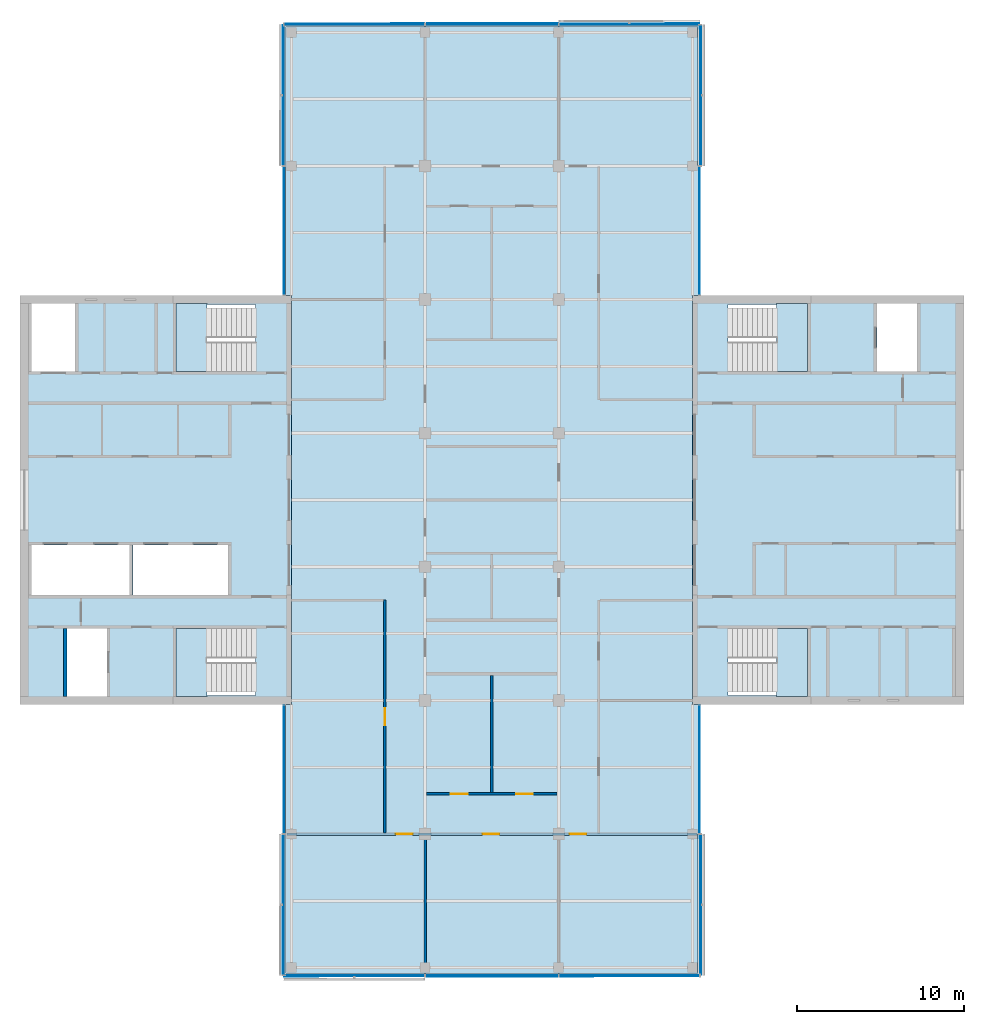
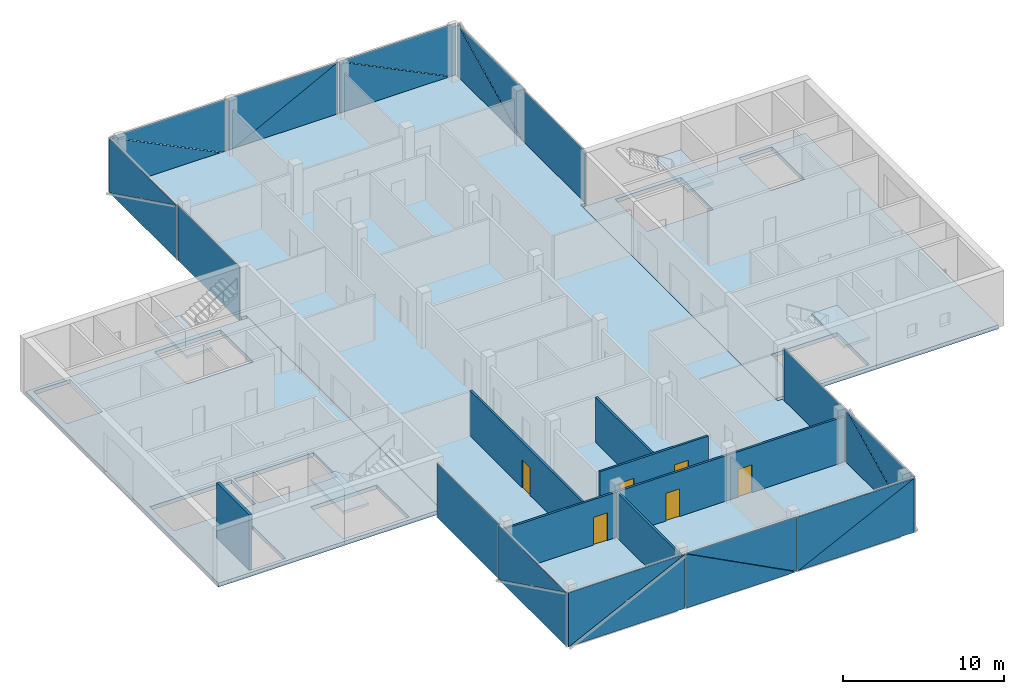
# One storey, part 8 of 16: 24 plates, 7 slabs, 6 doors, 6 walls, 6 openings, 14 elements without a shape of their own.
"""IFC4 building model written with IfcOpenShell, lengths in metres."""

from ifc_helpers import new_model, si_unit, direction, frame, frame_2d, origin, place, context, subcontext, project, spatial, polyline, rectangle, outline, extrude, material, layer, layer_set, type_object, element, fill, aggregate, save


model = new_model("IFC4")

# Units and contexts
model_context = context("Model", 3, precision=1e-05, world=origin(), true_north=direction((0.0, 1.0)))
body_context = subcontext(model_context, "Body", "Model", "MODEL_VIEW")
ifc_project = project(units=[si_unit("LENGTHUNIT", "METRE"), si_unit("AREAUNIT", "SQUARE_METRE"), si_unit("VOLUMEUNIT", "CUBIC_METRE"), si_unit("PLANEANGLEUNIT", "RADIAN"), si_unit("MASSUNIT", "GRAM", prefix="KILO")], contexts=[model_context])

# Site, building, storey
site_placement = place(None, origin())
site = spatial("IfcSite", under=ifc_project, at=site_placement, CompositionType="ELEMENT")
building_placement = place(site_placement, origin())
building = spatial("IfcBuilding", under=site, at=building_placement, Name="Crosswind Convention Tower", CompositionType="ELEMENT")
storey_placement = place(building_placement, frame((0.0, 0.0, 249.300048828125)))
storey = spatial("IfcBuildingStorey", under=building, at=storey_placement, Name="L53", CompositionType="ELEMENT", Elevation=249.300048828125)

# Slabs
ifc_material_1 = material(Name="Concrete C40/50", Category="concrete")
ifc_layer_1 = layer(ifc_material_1, 0.300048828125)
ifc_layer_set_1 = layer_set([ifc_layer_1], Name="Concrete C40/50")
slab_type_1 = type_object("IfcSlabType", Name="Composite floor slab 300", PredefinedType="FLOOR", material=ifc_layer_set_1)
slab_1_placement = place(storey_placement, frame((0.0, 0.0, -0.300048828125)))
element("IfcSlab", 1, at=slab_1_placement, inside=storey, type_object=slab_type_1, Name="Floor slab L53", PredefinedType="FLOOR", context=body_context, shape_type="SweptSolid", body=[
    extrude(outline(polyline([(137.35009765625, 71.64990234375), (137.0, 71.64990234375), (113.0, 71.64990234375), (112.64990234375, 71.64990234375), (112.64990234375, 72.0), (112.64990234375, 87.75), (113.0, 87.75), (113.0, 112.25), (112.64990234375, 112.25), (112.64990234375, 128.0), (112.64990234375, 128.35009765625), (113.0, 128.35009765625), (137.0, 128.35009765625), (137.35009765625, 128.35009765625), (137.35009765625, 128.0), (137.35009765625, 112.25), (137.0, 112.25), (137.0, 87.75), (137.35009765625, 87.75), (137.35009765625, 72.0), (137.35009765625, 71.64990234375)])), origin(), (0.0, 0.0, 1.0), 0.300048828125),
])
ifc_layer_2 = layer(ifc_material_1, 0.300048828125)
ifc_layer_set_2 = layer_set([ifc_layer_2], Name="Concrete C40/50")
slab_type_2 = type_object("IfcSlabType", Name="Concrete core floor slab 300", PredefinedType="FLOOR", material=ifc_layer_set_2)
slab_2_placement = place(storey_placement, frame((0.0, 0.0, -0.300048828125)))
element("IfcSlab", 2, at=slab_2_placement, inside=storey, type_object=slab_type_2, Name="Core floor slab E L53", PredefinedType="FLOOR", context=body_context, shape_type="SweptSolid", body=[
    extrude(outline(polyline([(137.0, 88.0), (153.0, 88.0), (153.0, 112.0), (137.0, 112.0), (137.0, 88.0)]), holes=[polyline([(150.449951171875, 107.699951171875), (150.449951171875, 111.75), (148.050048828125, 111.75), (148.050048828125, 107.699951171875), (150.449951171875, 107.699951171875)]), polyline([(143.89990234375, 107.699951171875), (143.89990234375, 111.699951171875), (139.14990234375, 111.699951171875), (139.14990234375, 107.699951171875), (143.89990234375, 107.699951171875)]), polyline([(143.89990234375, 88.300048828125), (143.89990234375, 92.300048828125), (139.14990234375, 92.300048828125), (139.14990234375, 88.300048828125), (143.89990234375, 88.300048828125)])]), origin(), (0.0, 0.0, 1.0), 0.300048828125),
])
slab_3_placement = place(storey_placement, frame((0.0, 0.0, -0.300048828125)))
element("IfcSlab", 3, at=slab_3_placement, inside=storey, type_object=slab_type_2, Name="Core floor slab W L53", PredefinedType="FLOOR", context=body_context, shape_type="SweptSolid", body=[
    extrude(outline(polyline([(97.0, 88.0), (113.0, 88.0), (113.0, 112.0), (97.0, 112.0), (97.0, 88.0)]), holes=[polyline([(109.199951171875, 94.300048828125), (109.199951171875, 97.300048828125), (103.5, 97.300048828125), (103.5, 94.300048828125), (109.199951171875, 94.300048828125)]), polyline([(103.300048828125, 94.300048828125), (103.300048828125, 97.300048828125), (97.449951171875, 97.300048828125), (97.449951171875, 94.300048828125), (103.300048828125, 94.300048828125)]), polyline([(101.949951171875, 88.25), (101.949951171875, 92.300048828125), (99.550048828125, 92.300048828125), (99.550048828125, 88.25), (101.949951171875, 88.25)]), polyline([(100.050048828125, 107.699951171875), (100.050048828125, 111.75), (97.449951171875, 111.75), (97.449951171875, 107.699951171875), (100.050048828125, 107.699951171875)]), polyline([(110.85009765625, 88.300048828125), (110.85009765625, 92.300048828125), (106.10009765625, 92.300048828125), (106.10009765625, 88.300048828125), (110.85009765625, 88.300048828125)]), polyline([(110.85009765625, 107.699951171875), (110.85009765625, 111.699951171875), (106.10009765625, 111.699951171875), (106.10009765625, 107.699951171875), (110.85009765625, 107.699951171875)])]), origin(), (0.0, 0.0, 1.0), 0.300048828125),
])

# Stair, slab
stair_type = type_object("IfcStairType", Name="Exit stair 1800 wide, 2 flights of 11 risers", PredefinedType="HALF_TURN_STAIR", material=ifc_material_1)
stair_1_placement = place(storey_placement, origin())
stair_1 = element("IfcStair", 4, at=stair_1_placement, inside=storey, type_object=stair_type, Name="Exit stair ST1 L53", ObjectType="ST5", PredefinedType="HALF_TURN_STAIR")
ifc_layer_3 = layer(ifc_material_1, 0.199951171875)
ifc_layer_set_3 = layer_set([ifc_layer_3], Name="Concrete C40/50")
slab_type_3 = type_object("IfcSlabType", Name="Stair landing 200", PredefinedType="LANDING", material=ifc_layer_set_3)
slab_4_placement = place(storey_placement, frame((0.0, 0.0, 1.89990234375)))
slab_4 = element("IfcSlab", 5, at=slab_4_placement, type_object=slab_type_3, Name="ST1 landing 1", PredefinedType="LANDING", context=body_context, shape_type="SweptSolid", body=[
    extrude(outline(polyline([(143.89990234375, 107.699951171875), (143.89990234375, 111.75), (142.050048828125, 111.75), (142.050048828125, 107.699951171875), (143.89990234375, 107.699951171875)])), origin(), (0.0, 0.0, 1.0), 0.199951171875),
])
aggregate(stair_1, [slab_4])

stair_2_placement = place(storey_placement, origin())
stair_2 = element("IfcStair", 6, at=stair_2_placement, inside=storey, type_object=stair_type, Name="Exit stair ST2 L53", ObjectType="ST5", PredefinedType="HALF_TURN_STAIR")
slab_5_placement = place(storey_placement, frame((0.0, 0.0, 1.89990234375)))
slab_5 = element("IfcSlab", 7, at=slab_5_placement, type_object=slab_type_3, Name="ST2 landing 1", PredefinedType="LANDING", context=body_context, shape_type="SweptSolid", body=[
    extrude(outline(polyline([(143.89990234375, 88.25), (143.89990234375, 92.300048828125), (142.050048828125, 92.300048828125), (142.050048828125, 88.25), (143.89990234375, 88.25)])), origin(), (0.0, 0.0, 1.0), 0.199951171875),
])
aggregate(stair_2, [slab_5])

stair_3_placement = place(storey_placement, origin())
stair_3 = element("IfcStair", 8, at=stair_3_placement, inside=storey, type_object=stair_type, Name="Exit stair ST3 L53", ObjectType="ST5", PredefinedType="HALF_TURN_STAIR")
slab_6_placement = place(storey_placement, frame((0.0, 0.0, 1.89990234375)))
slab_6 = element("IfcSlab", 9, at=slab_6_placement, type_object=slab_type_3, Name="ST3 landing 1", PredefinedType="LANDING", context=body_context, shape_type="SweptSolid", body=[
    extrude(outline(polyline([(107.949951171875, 88.25), (107.949951171875, 92.300048828125), (106.10009765625, 92.300048828125), (106.10009765625, 88.25), (107.949951171875, 88.25)])), origin(), (0.0, 0.0, 1.0), 0.199951171875),
])
aggregate(stair_3, [slab_6])

stair_4_placement = place(storey_placement, origin())
stair_4 = element("IfcStair", 10, at=stair_4_placement, inside=storey, type_object=stair_type, Name="Exit stair ST4 L53", ObjectType="ST5", PredefinedType="HALF_TURN_STAIR")
slab_7_placement = place(storey_placement, frame((0.0, 0.0, 1.89990234375)))
slab_7 = element("IfcSlab", 11, at=slab_7_placement, type_object=slab_type_3, Name="ST4 landing 1", PredefinedType="LANDING", context=body_context, shape_type="SweptSolid", body=[
    extrude(outline(polyline([(107.949951171875, 107.699951171875), (107.949951171875, 111.75), (106.10009765625, 111.75), (106.10009765625, 107.699951171875), (107.949951171875, 107.699951171875)])), origin(), (0.0, 0.0, 1.0), 0.199951171875),
])
aggregate(stair_4, [slab_7])

# Curtain wall, plate
ifc_material_2 = material(Name="Aluminium unitised curtain wall", Category="aluminium")
curtain_wall_type_1 = type_object("IfcCurtainWallType", Name="CORE END SLOT WALL 160", PredefinedType="USERDEFINED", material=ifc_material_2)
curtain_wall_1_placement = place(storey_placement, origin())
curtain_wall_1 = element("IfcCurtainWall", 12, at=curtain_wall_1_placement, inside=storey, type_object=curtain_wall_type_1, Name="CW6 L53 N-E.1-1 slot", ObjectType="UNITISED", PredefinedType="USERDEFINED")
ifc_material_3 = material(Name="Laminated insulating glass unit", Category="glass")
ifc_layer_4 = layer(ifc_material_3, 0.02587890625)
ifc_layer_set_4 = layer_set([ifc_layer_4], Name="TRIANGULAR GLASS PANEL 26")
plate_type_1 = type_object("IfcPlateType", Name="TRIANGULAR GLASS PANEL 26", PredefinedType="CURTAIN_PANEL", material=ifc_layer_set_4)
plate_1_placement = place(storey_placement, frame((137.456787109375, 112.300048828125, -0.300048828125), z_axis=(0.999999915205, 0.0, 0.00041181312), x_axis=(0.0, 1.0, 0.0)))
plate_1 = element("IfcPlate", 13, at=plate_1_placement, type_object=plate_type_1, Name="CW6 panel 1.1", PredefinedType="CURTAIN_PANEL", context=body_context, shape_type="SweptSolid", body=[
    extrude(outline(polyline([(0.0, 0.0), (7.64990234375, 0.0), (7.64990234375, 4.149902695641108), (0.0, 4.149902695641108), (0.0, 0.0)])), origin(), (0.0, 0.0, -1.0), 0.02587890625),
])
aggregate(curtain_wall_1, [plate_1])

curtain_wall_2_placement = place(storey_placement, origin())
curtain_wall_2 = element("IfcCurtainWall", 14, at=curtain_wall_2_placement, inside=storey, type_object=curtain_wall_type_1, Name="CW6 L53 N-W.1-2 slot", ObjectType="UNITISED", PredefinedType="USERDEFINED")
plate_2_placement = place(storey_placement, frame((112.543212890625, 119.949951171875, -0.300048828125), z_axis=(-0.999999915205, 0.0, 0.00041181312), x_axis=(0.0, -1.0, 0.0)))
plate_2 = element("IfcPlate", 15, at=plate_2_placement, type_object=plate_type_1, Name="CW6 panel 1.1", PredefinedType="CURTAIN_PANEL", context=body_context, shape_type="SweptSolid", body=[
    extrude(outline(polyline([(0.0, 0.0), (7.64990234375, 0.0), (7.64990234375, 4.149902695641108), (0.0, 4.149902695641108), (0.0, 0.0)])), origin(), (0.0, 0.0, -1.0), 0.02587890625),
])
aggregate(curtain_wall_2, [plate_2])

curtain_wall_3_placement = place(storey_placement, origin())
curtain_wall_3 = element("IfcCurtainWall", 16, at=curtain_wall_3_placement, inside=storey, type_object=curtain_wall_type_1, Name="CW6 L53 S-W.1-1 slot", ObjectType="UNITISED", PredefinedType="USERDEFINED")
plate_3_placement = place(storey_placement, frame((112.543212890625, 87.699951171875, -0.300048828125), z_axis=(-0.999999915205, 0.0, 0.00041181312), x_axis=(0.0, -1.0, 0.0)))
plate_3 = element("IfcPlate", 17, at=plate_3_placement, type_object=plate_type_1, Name="CW6 panel 1.1", PredefinedType="CURTAIN_PANEL", context=body_context, shape_type="SweptSolid", body=[
    extrude(outline(polyline([(0.0, 0.0), (7.64990234375, 0.0), (7.64990234375, 4.149902695641108), (0.0, 4.149902695641108), (0.0, 0.0)])), origin(), (0.0, 0.0, -1.0), 0.02587890625),
])
aggregate(curtain_wall_3, [plate_3])

curtain_wall_4_placement = place(storey_placement, origin())
curtain_wall_4 = element("IfcCurtainWall", 18, at=curtain_wall_4_placement, inside=storey, type_object=curtain_wall_type_1, Name="CW6 L53 S-E.1-2 slot", ObjectType="UNITISED", PredefinedType="USERDEFINED")
plate_4_placement = place(storey_placement, frame((137.456787109375, 80.050048828125, -0.300048828125), z_axis=(0.999999915205, 0.0, 0.00041181312), x_axis=(0.0, 1.0, 0.0)))
plate_4 = element("IfcPlate", 19, at=plate_4_placement, type_object=plate_type_1, Name="CW6 panel 1.1", PredefinedType="CURTAIN_PANEL", context=body_context, shape_type="SweptSolid", body=[
    extrude(outline(polyline([(0.0, 0.0), (7.64990234375, 0.0), (7.64990234375, 4.149902695641108), (0.0, 4.149902695641108), (0.0, 0.0)])), origin(), (0.0, 0.0, -1.0), 0.02587890625),
])
aggregate(curtain_wall_4, [plate_4])

# Curtain wall, plates
curtain_wall_type_2 = type_object("IfcCurtainWallType", Name="OFFICE UNITISED WALL 220", PredefinedType="USERDEFINED", material=ifc_material_2)
curtain_wall_5_placement = place(storey_placement, origin())
curtain_wall_5 = element("IfcCurtainWall", 20, at=curtain_wall_5_placement, inside=storey, type_object=curtain_wall_type_2, Name="CW3 L53 N-E 1", ObjectType="UNITISED", PredefinedType="USERDEFINED")
ifc_layer_5 = layer(ifc_material_3, 0.031982421875)
ifc_layer_set_5 = layer_set([ifc_layer_5], Name="TRIANGULAR GLASS PANEL 32")
plate_type_2 = type_object("IfcPlateType", Name="TRIANGULAR GLASS PANEL 32", PredefinedType="CURTAIN_PANEL", material=ifc_layer_set_5)
plate_5_placement = place(storey_placement, frame((137.492919921875, 128.425048828125, -0.300048828125), z_axis=(0.999999913924, 0.0, 0.000414913129), x_axis=(-0.000414913129, 0.0, 0.999999913924)))
plate_5 = element("IfcPlate", 21, at=plate_5_placement, type_object=plate_type_2, Name="CW3 panel 1.1", PredefinedType="CURTAIN_PANEL", context=body_context, shape_type="SweptSolid", body=[
    extrude(outline(polyline([(0.0, 0.0), (4.118896838915043, 0.0), (0.0, 8.367431640625), (0.0, 0.0)])), origin(), (0.0, 0.0, -1.0), 0.031982421875),
])
plate_6_placement = place(storey_placement, frame((137.525146484375, 120.034912109375, 3.829833984375), z_axis=(0.999999913913, 0.0, 0.000414937724), x_axis=(0.000414937724, 0.0, -0.999999913913)))
plate_6 = element("IfcPlate", 22, at=plate_6_placement, type_object=plate_type_2, Name="CW3 panel 1.2", PredefinedType="CURTAIN_PANEL", context=body_context, shape_type="SweptSolid", body=[
    extrude(outline(polyline([(0.0, 0.0), (4.118652698311059, 0.0), (0.0, 8.367431640625), (0.0, 0.0)])), origin(), (0.0, 0.0, -1.0), 0.031982421875),
])
aggregate(curtain_wall_5, [plate_5, plate_6])

curtain_wall_6_placement = place(storey_placement, origin())
curtain_wall_6 = element("IfcCurtainWall", 23, at=curtain_wall_6_placement, inside=storey, type_object=curtain_wall_type_2, Name="CW3 L53 N-TIP 1", ObjectType="UNITISED", PredefinedType="USERDEFINED")
plate_7_placement = place(storey_placement, frame((129.034912109375, 128.492919921875, -0.300048828125), z_axis=(0.0, 0.999999913924, 0.000414913129), x_axis=(0.0, -0.000414913129, 0.999999913924)))
plate_7 = element("IfcPlate", 24, at=plate_7_placement, type_object=plate_type_2, Name="CW3 panel 1.1", PredefinedType="CURTAIN_PANEL", context=body_context, shape_type="SweptSolid", body=[
    extrude(outline(polyline([(0.0, 0.0), (4.118896838915043, 0.0), (0.0, 8.367431640625), (0.0, 0.0)])), origin(), (0.0, 0.0, -1.0), 0.031982421875),
])
plate_8_placement = place(storey_placement, frame((137.425048828125, 128.525146484375, 3.829833984375), z_axis=(0.0, 0.999999913913, 0.000414937724), x_axis=(0.0, 0.000414937724, -0.999999913913)))
plate_8 = element("IfcPlate", 25, at=plate_8_placement, type_object=plate_type_2, Name="CW3 panel 1.2", PredefinedType="CURTAIN_PANEL", context=body_context, shape_type="SweptSolid", body=[
    extrude(outline(polyline([(0.0, 0.0), (4.118652698311059, 0.0), (0.0, 8.367431640625), (0.0, 0.0)])), origin(), (0.0, 0.0, -1.0), 0.031982421875),
])
plate_9_placement = place(storey_placement, frame((121.034912109375, 128.4912109375, 3.829833984375), z_axis=(0.0, 0.999999913913, 0.000414937724), x_axis=(1.0, 0.0, 0.0)))
plate_9 = element("IfcPlate", 26, at=plate_9_placement, type_object=plate_type_2, Name="CW3 panel 2.1", PredefinedType="CURTAIN_PANEL", context=body_context, shape_type="SweptSolid", body=[
    extrude(outline(polyline([(0.0, 0.0), (7.908447265625, 0.0), (0.0, 4.118652698311059), (0.0, 0.0)])), origin(), (0.0, 0.0, -1.0), 0.031982421875),
])
plate_10_placement = place(storey_placement, frame((128.965087890625, 128.52685546875, -0.300048828125), z_axis=(0.0, 0.999999913913, 0.000414937724), x_axis=(-1.0, 0.0, 0.0)))
plate_10 = element("IfcPlate", 27, at=plate_10_placement, type_object=plate_type_2, Name="CW3 panel 2.2", PredefinedType="CURTAIN_PANEL", context=body_context, shape_type="SweptSolid", body=[
    extrude(outline(polyline([(0.0, 0.0), (7.908447265625, 0.0), (0.0, 4.118652698311059), (0.0, 0.0)])), origin(), (0.0, 0.0, -1.0), 0.031982421875),
])
plate_11_placement = place(storey_placement, frame((112.574951171875, 128.492919921875, -0.300048828125), z_axis=(0.0, 0.999999913924, 0.000414913129), x_axis=(0.0, -0.000414913129, 0.999999913924)))
plate_11 = element("IfcPlate", 28, at=plate_11_placement, type_object=plate_type_2, Name="CW3 panel 3.1", PredefinedType="CURTAIN_PANEL", context=body_context, shape_type="SweptSolid", body=[
    extrude(outline(polyline([(0.0, 0.0), (4.118896838915043, 0.0), (0.0, 8.367431640625), (0.0, 0.0)])), origin(), (0.0, 0.0, -1.0), 0.031982421875),
])
plate_12_placement = place(storey_placement, frame((120.965087890625, 128.525146484375, 3.829833984375), z_axis=(0.0, 0.999999913913, 0.000414937724), x_axis=(0.0, 0.000414937724, -0.999999913913)))
plate_12 = element("IfcPlate", 29, at=plate_12_placement, type_object=plate_type_2, Name="CW3 panel 3.2", PredefinedType="CURTAIN_PANEL", context=body_context, shape_type="SweptSolid", body=[
    extrude(outline(polyline([(0.0, 0.0), (4.118652698311059, 0.0), (0.0, 8.367431640625), (0.0, 0.0)])), origin(), (0.0, 0.0, -1.0), 0.031982421875),
])
aggregate(curtain_wall_6, [plate_7, plate_8, plate_9, plate_10, plate_11, plate_12])

curtain_wall_7_placement = place(storey_placement, origin())
curtain_wall_7 = element("IfcCurtainWall", 30, at=curtain_wall_7_placement, inside=storey, type_object=curtain_wall_type_2, Name="CW3 L53 N-W 1", ObjectType="UNITISED", PredefinedType="USERDEFINED")
plate_13_placement = place(storey_placement, frame((112.507080078125, 120.034912109375, -0.300048828125), z_axis=(-0.999999913924, 0.0, 0.000414913129), x_axis=(0.000414913129, 0.0, 0.999999913924)))
plate_13 = element("IfcPlate", 31, at=plate_13_placement, type_object=plate_type_2, Name="CW3 panel 1.1", PredefinedType="CURTAIN_PANEL", context=body_context, shape_type="SweptSolid", body=[
    extrude(outline(polyline([(0.0, 0.0), (4.118896838915043, 0.0), (0.0, 8.367431640625), (0.0, 0.0)])), origin(), (0.0, 0.0, -1.0), 0.031982421875),
])
plate_14_placement = place(storey_placement, frame((112.474853515625, 128.425048828125, 3.829833984375), z_axis=(-0.999999913913, 0.0, 0.000414937724), x_axis=(-0.000414937724, 0.0, -0.999999913913)))
plate_14 = element("IfcPlate", 32, at=plate_14_placement, type_object=plate_type_2, Name="CW3 panel 1.2", PredefinedType="CURTAIN_PANEL", context=body_context, shape_type="SweptSolid", body=[
    extrude(outline(polyline([(0.0, 0.0), (4.118652698311059, 0.0), (0.0, 8.367431640625), (0.0, 0.0)])), origin(), (0.0, 0.0, -1.0), 0.031982421875),
])
aggregate(curtain_wall_7, [plate_13, plate_14])

curtain_wall_8_placement = place(storey_placement, origin())
curtain_wall_8 = element("IfcCurtainWall", 33, at=curtain_wall_8_placement, inside=storey, type_object=curtain_wall_type_2, Name="CW3 L53 S-W 1", ObjectType="UNITISED", PredefinedType="USERDEFINED")
plate_15_placement = place(storey_placement, frame((112.507080078125, 71.574951171875, -0.300048828125), z_axis=(-0.999999913924, 0.0, 0.000414913129), x_axis=(0.000414913129, 0.0, 0.999999913924)))
plate_15 = element("IfcPlate", 34, at=plate_15_placement, type_object=plate_type_2, Name="CW3 panel 1.1", PredefinedType="CURTAIN_PANEL", context=body_context, shape_type="SweptSolid", body=[
    extrude(outline(polyline([(0.0, 0.0), (4.118896838915043, 0.0), (0.0, 8.367431640625), (0.0, 0.0)])), origin(), (0.0, 0.0, -1.0), 0.031982421875),
])
plate_16_placement = place(storey_placement, frame((112.474853515625, 79.965087890625, 3.829833984375), z_axis=(-0.999999913913, 0.0, 0.000414937724), x_axis=(-0.000414937724, 0.0, -0.999999913913)))
plate_16 = element("IfcPlate", 35, at=plate_16_placement, type_object=plate_type_2, Name="CW3 panel 1.2", PredefinedType="CURTAIN_PANEL", context=body_context, shape_type="SweptSolid", body=[
    extrude(outline(polyline([(0.0, 0.0), (4.118652698311059, 0.0), (0.0, 8.367431640625), (0.0, 0.0)])), origin(), (0.0, 0.0, -1.0), 0.031982421875),
])
aggregate(curtain_wall_8, [plate_15, plate_16])

curtain_wall_9_placement = place(storey_placement, origin())
curtain_wall_9 = element("IfcCurtainWall", 36, at=curtain_wall_9_placement, inside=storey, type_object=curtain_wall_type_2, Name="CW3 L53 S-TIP 1", ObjectType="UNITISED", PredefinedType="USERDEFINED")
plate_17_placement = place(storey_placement, frame((120.965087890625, 71.507080078125, -0.300048828125), z_axis=(0.0, -0.999999913924, 0.000414913129), x_axis=(0.0, 0.000414913129, 0.999999913924)))
plate_17 = element("IfcPlate", 37, at=plate_17_placement, type_object=plate_type_2, Name="CW3 panel 1.1", PredefinedType="CURTAIN_PANEL", context=body_context, shape_type="SweptSolid", body=[
    extrude(outline(polyline([(0.0, 0.0), (4.118896838915043, 0.0), (0.0, 8.367431640625), (0.0, 0.0)])), origin(), (0.0, 0.0, -1.0), 0.031982421875),
])
plate_18_placement = place(storey_placement, frame((112.574951171875, 71.474853515625, 3.829833984375), z_axis=(0.0, -0.999999913913, 0.000414937724), x_axis=(0.0, -0.000414937724, -0.999999913913)))
plate_18 = element("IfcPlate", 38, at=plate_18_placement, type_object=plate_type_2, Name="CW3 panel 1.2", PredefinedType="CURTAIN_PANEL", context=body_context, shape_type="SweptSolid", body=[
    extrude(outline(polyline([(0.0, 0.0), (4.118652698311059, 0.0), (0.0, 8.367431640625), (0.0, 0.0)])), origin(), (0.0, 0.0, -1.0), 0.031982421875),
])
plate_19_placement = place(storey_placement, frame((128.965087890625, 71.5087890625, 3.829833984375), z_axis=(0.0, -0.999999913913, 0.000414937724), x_axis=(-1.0, 0.0, 0.0)))
plate_19 = element("IfcPlate", 39, at=plate_19_placement, type_object=plate_type_2, Name="CW3 panel 2.1", PredefinedType="CURTAIN_PANEL", context=body_context, shape_type="SweptSolid", body=[
    extrude(outline(polyline([(0.0, 0.0), (7.908447265625, 0.0), (0.0, 4.118652698311059), (0.0, 0.0)])), origin(), (0.0, 0.0, -1.0), 0.031982421875),
])
plate_20_placement = place(storey_placement, frame((121.034912109375, 71.47314453125, -0.300048828125), z_axis=(0.0, -0.999999913913, 0.000414937724), x_axis=(1.0, 0.0, 0.0)))
plate_20 = element("IfcPlate", 40, at=plate_20_placement, type_object=plate_type_2, Name="CW3 panel 2.2", PredefinedType="CURTAIN_PANEL", context=body_context, shape_type="SweptSolid", body=[
    extrude(outline(polyline([(0.0, 0.0), (7.908447265625, 0.0), (0.0, 4.118652698311059), (0.0, 0.0)])), origin(), (0.0, 0.0, -1.0), 0.031982421875),
])
plate_21_placement = place(storey_placement, frame((137.425048828125, 71.507080078125, -0.300048828125), z_axis=(0.0, -0.999999913924, 0.000414913129), x_axis=(0.0, 0.000414913129, 0.999999913924)))
plate_21 = element("IfcPlate", 41, at=plate_21_placement, type_object=plate_type_2, Name="CW3 panel 3.1", PredefinedType="CURTAIN_PANEL", context=body_context, shape_type="SweptSolid", body=[
    extrude(outline(polyline([(0.0, 0.0), (4.118896838915043, 0.0), (0.0, 8.367431640625), (0.0, 0.0)])), origin(), (0.0, 0.0, -1.0), 0.031982421875),
])
plate_22_placement = place(storey_placement, frame((129.034912109375, 71.474853515625, 3.829833984375), z_axis=(0.0, -0.999999913913, 0.000414937724), x_axis=(0.0, -0.000414937724, -0.999999913913)))
plate_22 = element("IfcPlate", 42, at=plate_22_placement, type_object=plate_type_2, Name="CW3 panel 3.2", PredefinedType="CURTAIN_PANEL", context=body_context, shape_type="SweptSolid", body=[
    extrude(outline(polyline([(0.0, 0.0), (4.118652698311059, 0.0), (0.0, 8.367431640625), (0.0, 0.0)])), origin(), (0.0, 0.0, -1.0), 0.031982421875),
])
aggregate(curtain_wall_9, [plate_17, plate_18, plate_19, plate_20, plate_21, plate_22])

curtain_wall_10_placement = place(storey_placement, origin())
curtain_wall_10 = element("IfcCurtainWall", 43, at=curtain_wall_10_placement, inside=storey, type_object=curtain_wall_type_2, Name="CW3 L53 S-E 1", ObjectType="UNITISED", PredefinedType="USERDEFINED")
plate_23_placement = place(storey_placement, frame((137.492919921875, 79.965087890625, -0.300048828125), z_axis=(0.999999913924, 0.0, 0.000414913129), x_axis=(-0.000414913129, 0.0, 0.999999913924)))
plate_23 = element("IfcPlate", 44, at=plate_23_placement, type_object=plate_type_2, Name="CW3 panel 1.1", PredefinedType="CURTAIN_PANEL", context=body_context, shape_type="SweptSolid", body=[
    extrude(outline(polyline([(0.0, 0.0), (4.118896838915043, 0.0), (0.0, 8.367431640625), (0.0, 0.0)])), origin(), (0.0, 0.0, -1.0), 0.031982421875),
])
plate_24_placement = place(storey_placement, frame((137.525146484375, 71.574951171875, 3.829833984375), z_axis=(0.999999913913, 0.0, 0.000414937724), x_axis=(0.000414937724, 0.0, -0.999999913913)))
plate_24 = element("IfcPlate", 45, at=plate_24_placement, type_object=plate_type_2, Name="CW3 panel 1.2", PredefinedType="CURTAIN_PANEL", context=body_context, shape_type="SweptSolid", body=[
    extrude(outline(polyline([(0.0, 0.0), (4.118652698311059, 0.0), (0.0, 8.367431640625), (0.0, 0.0)])), origin(), (0.0, 0.0, -1.0), 0.031982421875),
])
aggregate(curtain_wall_10, [plate_23, plate_24])

# Wall
ifc_material_4 = material(Name="Concrete C50/60", Category="concrete")
ifc_layer_6 = layer(ifc_material_4, 0.199951171875)
ifc_layer_set_6 = layer_set([ifc_layer_6], Name="Concrete C50/60")
wall_type_1 = type_object("IfcWallType", Name="Concrete shaft and stair wall 200", PredefinedType="SHEAR", material=ifc_layer_set_6)
wall_1_placement = place(storey_placement, frame((99.449951171875, 92.300048828125, 0.0), z_axis=(0.0, 0.0, 1.0), x_axis=(0.0, -1.0, 0.0)))
element("IfcWall", 46, at=wall_1_placement, inside=storey, type_object=wall_type_1, Name="Wall PFSE W L53", PredefinedType="SHEAR", context=body_context, shape_type="SweptSolid", body=[
    extrude(rectangle(XDim=4.050048828125, YDim=0.199951171875, at=frame_2d((2.02490234375, 0.0))), origin(), (0.0, 0.0, 1.0), 4.199951171875),
])

# Wall, opening, door
ifc_material_5 = material(Name="Fire-board partition with mineral wool", Category="gypsum")
ifc_layer_7 = layer(ifc_material_5, 0.14990234375)
ifc_layer_set_7 = layer_set([ifc_layer_7], Name="TENANCY WALL 150 TWO-HOUR BOARD")
wall_type_2 = type_object("IfcWallType", Name="TENANCY WALL 150 TWO-HOUR BOARD", PredefinedType="PARTITIONING", material=ifc_layer_set_7)
wall_2_placement = place(storey_placement, frame((118.60009765625, 80.074951171875, 0.0), z_axis=(0.0, 0.0, 1.0), x_axis=(0.0, 1.0, 0.0)))
wall_2 = element("IfcWall", 47, at=wall_2_placement, inside=storey, type_object=wall_type_2, Name="Tenancy wall WT41", PredefinedType="PARTITIONING", context=body_context, shape_type="SweptSolid", body=[
    extrude(rectangle(XDim=13.925048828125, YDim=0.14990234375, at=frame_2d((6.96240234375, 0.0))), origin(), (0.0, 0.0, 1.0), 3.44287109375),
])
opening_1_placement = place(wall_2_placement, frame((6.449951171875, 0.0, 0.0)))
opening_1 = element("IfcOpeningElement", 48, at=opening_1_placement, cuts=wall_2, Name="Opening L53-55", PredefinedType="OPENING", context=body_context, shape_type="SweptSolid", body=[
    extrude(rectangle(XDim=1.0, YDim=2.10009765625, at=frame_2d((0.5, 1.050048828125))), frame((0.0, 0.0849609375, 0.0), z_axis=(0.0, -1.0, 0.0), x_axis=(1.0, 0.0, 0.0)), (0.0, 0.0, 1.0), 0.169921875),
])
ifc_material_6 = material(Name="Timber fire door", Category="wood")
door_type = type_object("IfcDoorType", Name="TENANCY ENTRANCE DOOR 1000X2100 FD30S", OperationType="NOTDEFINED", PredefinedType="DOOR", material=ifc_material_6)
door_1_placement = place(opening_1_placement, origin())
door_1 = element("IfcDoor", 49, at=door_1_placement, inside=storey, type_object=door_type, Name="Door L53-55", ObjectType="D41", OperationType="SINGLE_SWING_RIGHT", OverallHeight=2.10009765625, OverallWidth=1.0, PredefinedType="DOOR", context=body_context, shape_type="SweptSolid", body=[
    extrude(rectangle(XDim=1.0, YDim=2.10009765625, at=frame_2d((0.5, 1.050048828125))), frame((0.0, 0.02490234375, 0.0), z_axis=(0.0, -1.0, 0.0), x_axis=(1.0, 0.0, 0.0)), (0.0, 0.0, 1.0), 0.050048828125),
])
fill(opening_1, door_1)

# Walls
wall_3_placement = place(storey_placement, frame((121.0, 71.72998046875, 0.0), z_axis=(0.0, 0.0, 1.0), x_axis=(0.0, 1.0, 0.0)))
element("IfcWall", 50, at=wall_3_placement, inside=storey, type_object=wall_type_2, Name="Tenancy wall WT41", PredefinedType="PARTITIONING", context=body_context, shape_type="SweptSolid", body=[
    extrude(rectangle(XDim=8.195068359375, YDim=0.14990234375, at=frame_2d((4.09765625, 0.0))), origin(), (0.0, 0.0, 1.0), 3.44287109375),
])
wall_4_placement = place(storey_placement, frame((125.0, 82.47509765625, 0.0), z_axis=(0.0, 0.0, 1.0), x_axis=(0.0, 1.0, 0.0)))
element("IfcWall", 51, at=wall_4_placement, inside=storey, type_object=wall_type_2, Name="Tenancy wall WT41", PredefinedType="PARTITIONING", context=body_context, shape_type="SweptSolid", body=[
    extrude(rectangle(XDim=7.02490234375, YDim=0.14990234375, at=frame_2d((3.512451171875, 0.0))), origin(), (0.0, 0.0, 1.0), 3.44287109375),
])

# Wall, openings, doors
wall_5_placement = place(storey_placement, frame((112.72998046875, 80.0, 0.0), z_axis=(0.0, 0.0, 1.0), x_axis=(1.0, 0.0, 0.0)))
wall_5 = element("IfcWall", 52, at=wall_5_placement, inside=storey, type_object=wall_type_2, Name="Tenancy wall WT41", PredefinedType="PARTITIONING", context=body_context, shape_type="SweptSolid", body=[
    extrude(rectangle(XDim=24.5400390625, YDim=0.14990234375, at=frame_2d((12.27001953125, 0.0))), origin(), (0.0, 0.0, 1.0), 3.44287109375),
])
opening_2_placement = place(wall_5_placement, frame((6.52001953125, 0.0, 0.0)))
opening_2 = element("IfcOpeningElement", 53, at=opening_2_placement, cuts=wall_5, Name="Opening L53-59", PredefinedType="OPENING", context=body_context, shape_type="SweptSolid", body=[
    extrude(rectangle(XDim=1.0, YDim=2.10009765625, at=frame_2d((0.5, 1.050048828125))), frame((0.0, 0.0849609375, 0.0), z_axis=(0.0, -1.0, 0.0), x_axis=(1.0, 0.0, 0.0)), (0.0, 0.0, 1.0), 0.169921875),
])
opening_3_placement = place(wall_5_placement, frame((11.719970703125, 0.0, 0.0)))
opening_3 = element("IfcOpeningElement", 54, at=opening_3_placement, cuts=wall_5, Name="Opening L53-60", PredefinedType="OPENING", context=body_context, shape_type="SweptSolid", body=[
    extrude(rectangle(XDim=1.0, YDim=2.10009765625, at=frame_2d((0.5, 1.050048828125))), frame((0.0, 0.0849609375, 0.0), z_axis=(0.0, -1.0, 0.0), x_axis=(1.0, 0.0, 0.0)), (0.0, 0.0, 1.0), 0.169921875),
])
opening_4_placement = place(wall_5_placement, frame((16.919921875, 0.0, 0.0)))
opening_4 = element("IfcOpeningElement", 55, at=opening_4_placement, cuts=wall_5, Name="Opening L53-61", PredefinedType="OPENING", context=body_context, shape_type="SweptSolid", body=[
    extrude(rectangle(XDim=1.0, YDim=2.10009765625, at=frame_2d((0.5, 1.050048828125))), frame((0.0, 0.0849609375, 0.0), z_axis=(0.0, -1.0, 0.0), x_axis=(1.0, 0.0, 0.0)), (0.0, 0.0, 1.0), 0.169921875),
])
door_2_placement = place(opening_2_placement, frame((1.0, 0.0, 0.0), z_axis=(0.0, 0.0, 1.0), x_axis=(-1.0, 0.0, 0.0)))
door_2 = element("IfcDoor", 56, at=door_2_placement, inside=storey, type_object=door_type, Name="Door L53-59", ObjectType="D41", OperationType="SINGLE_SWING_LEFT", OverallHeight=2.10009765625, OverallWidth=1.0, PredefinedType="DOOR", context=body_context, shape_type="SweptSolid", body=[
    extrude(rectangle(XDim=1.0, YDim=2.10009765625, at=frame_2d((0.5, 1.050048828125))), frame((0.0, 0.02490234375, 0.0), z_axis=(0.0, -1.0, 0.0), x_axis=(1.0, 0.0, 0.0)), (0.0, 0.0, 1.0), 0.050048828125),
])
fill(opening_2, door_2)
door_3_placement = place(opening_3_placement, frame((1.0, 0.0, 0.0), z_axis=(0.0, 0.0, 1.0), x_axis=(-1.0, 0.0, 0.0)))
door_3 = element("IfcDoor", 57, at=door_3_placement, inside=storey, type_object=door_type, Name="Door L53-60", ObjectType="D41", OperationType="SINGLE_SWING_RIGHT", OverallHeight=2.10009765625, OverallWidth=1.0, PredefinedType="DOOR", context=body_context, shape_type="SweptSolid", body=[
    extrude(rectangle(XDim=1.0, YDim=2.10009765625, at=frame_2d((0.5, 1.050048828125))), frame((0.0, 0.02490234375, 0.0), z_axis=(0.0, -1.0, 0.0), x_axis=(1.0, 0.0, 0.0)), (0.0, 0.0, 1.0), 0.050048828125),
])
fill(opening_3, door_3)
door_4_placement = place(opening_4_placement, frame((1.0, 0.0, 0.0), z_axis=(0.0, 0.0, 1.0), x_axis=(-1.0, 0.0, 0.0)))
door_4 = element("IfcDoor", 58, at=door_4_placement, inside=storey, type_object=door_type, Name="Door L53-61", ObjectType="D41", OperationType="SINGLE_SWING_RIGHT", OverallHeight=2.10009765625, OverallWidth=1.0, PredefinedType="DOOR", context=body_context, shape_type="SweptSolid", body=[
    extrude(rectangle(XDim=1.0, YDim=2.10009765625, at=frame_2d((0.5, 1.050048828125))), frame((0.0, 0.02490234375, 0.0), z_axis=(0.0, -1.0, 0.0), x_axis=(1.0, 0.0, 0.0)), (0.0, 0.0, 1.0), 0.050048828125),
])
fill(opening_4, door_4)

wall_6_placement = place(storey_placement, frame((121.10009765625, 82.39990234375, 0.0), z_axis=(0.0, 0.0, 1.0), x_axis=(1.0, 0.0, 0.0)))
wall_6 = element("IfcWall", 59, at=wall_6_placement, inside=storey, type_object=wall_type_2, Name="Tenancy wall WT41", PredefinedType="PARTITIONING", context=body_context, shape_type="SweptSolid", body=[
    extrude(rectangle(XDim=7.7998046875, YDim=0.14990234375, at=frame_2d((3.89990234375, 0.0))), origin(), (0.0, 0.0, 1.0), 3.44287109375),
])
opening_5_placement = place(wall_6_placement, frame((1.449951171875, 0.0, 0.0)))
opening_5 = element("IfcOpeningElement", 60, at=opening_5_placement, cuts=wall_6, Name="Opening L53-62", PredefinedType="OPENING", context=body_context, shape_type="SweptSolid", body=[
    extrude(rectangle(XDim=1.0, YDim=2.10009765625, at=frame_2d((0.5, 1.050048828125))), frame((0.0, 0.0849609375, 0.0), z_axis=(0.0, -1.0, 0.0), x_axis=(1.0, 0.0, 0.0)), (0.0, 0.0, 1.0), 0.169921875),
])
opening_6_placement = place(wall_6_placement, frame((5.35009765625, 0.0, 0.0)))
opening_6 = element("IfcOpeningElement", 61, at=opening_6_placement, cuts=wall_6, Name="Opening L53-63", PredefinedType="OPENING", context=body_context, shape_type="SweptSolid", body=[
    extrude(rectangle(XDim=1.0, YDim=2.10009765625, at=frame_2d((0.5, 1.050048828125))), frame((0.0, 0.0849609375, 0.0), z_axis=(0.0, -1.0, 0.0), x_axis=(1.0, 0.0, 0.0)), (0.0, 0.0, 1.0), 0.169921875),
])
door_5_placement = place(opening_5_placement, origin())
door_5 = element("IfcDoor", 62, at=door_5_placement, inside=storey, type_object=door_type, Name="Door L53-62", ObjectType="D41", OperationType="SINGLE_SWING_RIGHT", OverallHeight=2.10009765625, OverallWidth=1.0, PredefinedType="DOOR", context=body_context, shape_type="SweptSolid", body=[
    extrude(rectangle(XDim=1.0, YDim=2.10009765625, at=frame_2d((0.5, 1.050048828125))), frame((0.0, 0.02490234375, 0.0), z_axis=(0.0, -1.0, 0.0), x_axis=(1.0, 0.0, 0.0)), (0.0, 0.0, 1.0), 0.050048828125),
])
fill(opening_5, door_5)
door_6_placement = place(opening_6_placement, origin())
door_6 = element("IfcDoor", 63, at=door_6_placement, inside=storey, type_object=door_type, Name="Door L53-63", ObjectType="D41", OperationType="SINGLE_SWING_LEFT", OverallHeight=2.10009765625, OverallWidth=1.0, PredefinedType="DOOR", context=body_context, shape_type="SweptSolid", body=[
    extrude(rectangle(XDim=1.0, YDim=2.10009765625, at=frame_2d((0.5, 1.050048828125))), frame((0.0, 0.02490234375, 0.0), z_axis=(0.0, -1.0, 0.0), x_axis=(1.0, 0.0, 0.0)), (0.0, 0.0, 1.0), 0.050048828125),
])
fill(opening_6, door_6)

save(model, "model.ifc")
